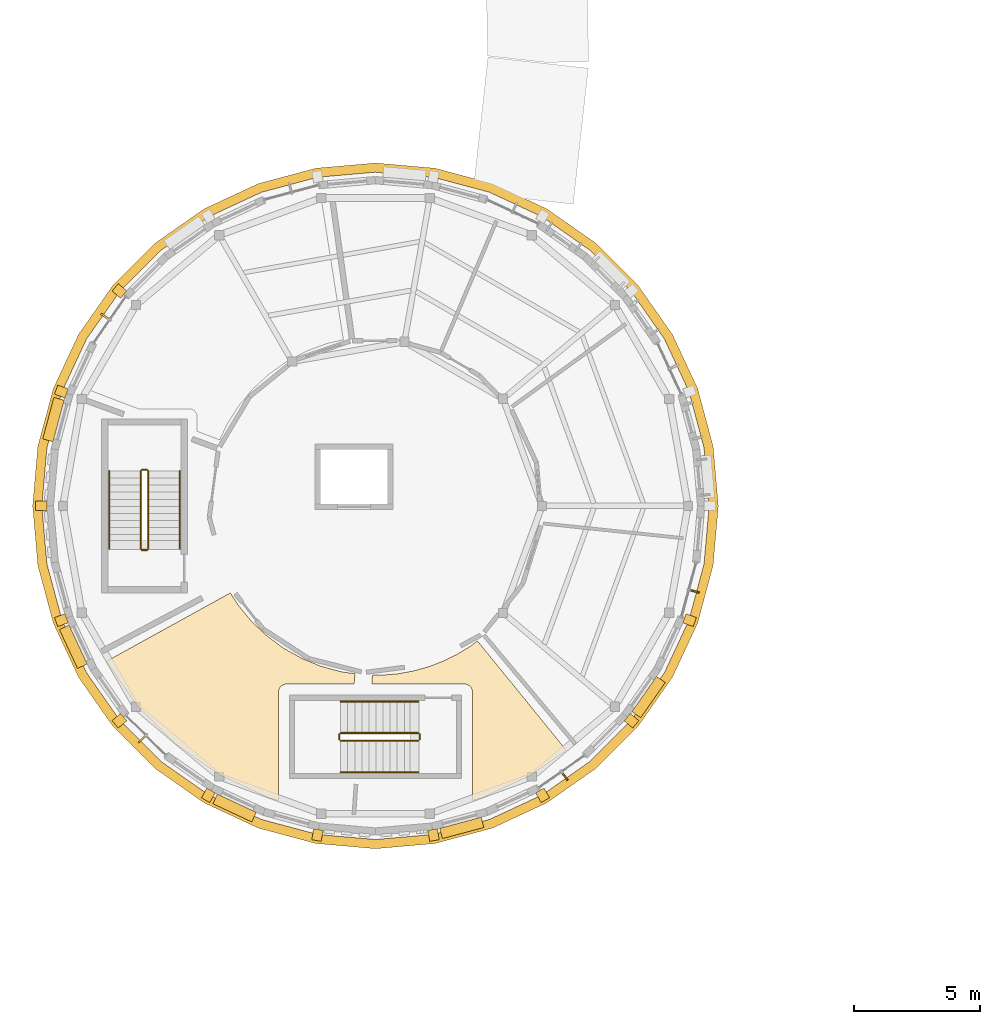
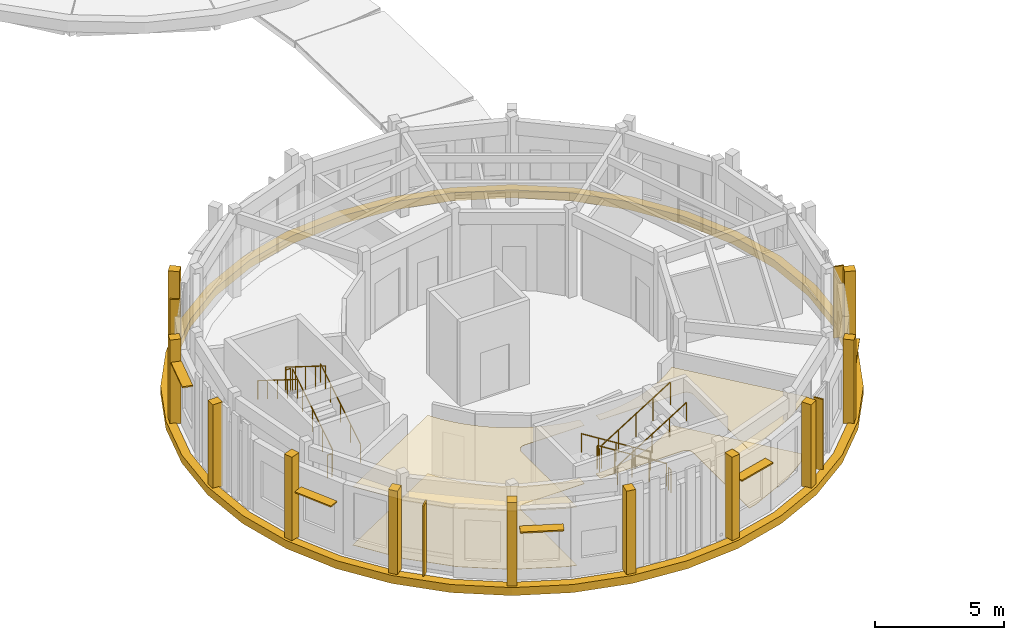
# One storey, part 50 of 58: 16 coverings, 12 railings, 9 shading devices.
"""IFC4 building model written with IfcOpenShell, lengths in metres."""

from ifc_helpers import new_model, si_unit, direction, frame, origin, origin_2d, place, context, subcontext, project, spatial, polyline, rectangle, circle, outline, extrude, material, layer, layer_set, type_object, element, save


model = new_model("IFC4")

# Units and contexts
model_context = context("Model", 3, precision=1e-05, world=origin(), true_north=direction((0.0, 1.0)))
body_context = subcontext(model_context, "Body", "Model", "MODEL_VIEW")
ifc_project = project(units=[si_unit("LENGTHUNIT", "METRE"), si_unit("AREAUNIT", "SQUARE_METRE"), si_unit("VOLUMEUNIT", "CUBIC_METRE"), si_unit("PLANEANGLEUNIT", "RADIAN"), si_unit("MASSUNIT", "GRAM", prefix="KILO")], contexts=[model_context])

# Site, building, storey
site_placement = place(None, origin())
site = spatial("IfcSite", under=ifc_project, at=site_placement, CompositionType="ELEMENT")
building_placement = place(site_placement, origin())
building = spatial("IfcBuilding", under=site, at=building_placement, Name="Aldenvaro Health Centre", CompositionType="ELEMENT")
storey_placement = place(building_placement, frame((0.0, 0.0, 8.75)))
storey = spatial("IfcBuildingStorey", under=building, at=storey_placement, Name="L02", CompositionType="ELEMENT", Elevation=8.75)

# Coverings
ifc_material_1 = material(Name="Antimicrobial Mineral Fibre Ceiling")
ifc_layer_1 = layer(ifc_material_1, 0.01806640625, Name="Antimicrobial Mineral Fibre Ceiling")
ifc_layer_set_1 = layer_set([ifc_layer_1], Name="Antimicrobial Mineral Fibre Ceiling")
covering_type_1 = type_object("IfcCoveringType", Name="COV-CLG-ACT18", PredefinedType="CEILING", material=ifc_layer_set_1)
covering_1_placement = place(storey_placement, frame((0.0, 0.0, 2.75)))
element("IfcCovering", 1, at=covering_1_placement, inside=storey, type_object=covering_type_1, Name="D5-L02-R03 Suspended Ceiling", PredefinedType="CEILING", context=body_context, shape_type="SweptSolid", body=[
    extrude(outline(polyline([(7.8330078125, 12.337890625), (12.75390625, 15.053955078125), (13.05810546875, 14.574951171875), (13.074951171875, 14.551025390625), (13.5791015625, 13.93896484375), (13.59912109375, 13.91796875), (14.174072265625, 13.3720703125), (14.196044921875, 13.35302734375), (14.8330078125, 12.881103515625), (14.85791015625, 12.864990234375), (15.548095703125, 12.47509765625), (15.574951171875, 12.4619140625), (16.306884765625, 12.158935546875), (16.3349609375, 12.14892578125), (17.09912109375, 11.93798828125), (17.1279296875, 11.931884765625), (17.68896484375, 11.84912109375), (17.654052734375, 11.43994140625), (14.97998046875, 11.43994140625), (14.968017578125, 11.43994140625), (14.9599609375, 11.43896484375), (14.93701171875, 11.43701171875), (14.928955078125, 11.43603515625), (14.906005859375, 11.430908203125), (14.89794921875, 11.428955078125), (14.8759765625, 11.423095703125), (14.868896484375, 11.419921875), (14.846923828125, 11.410888671875), (14.840087890625, 11.407958984375), (14.819091796875, 11.39599609375), (14.81201171875, 11.39208984375), (14.79296875, 11.37890625), (14.785888671875, 11.375), (14.76806640625, 11.360107421875), (14.761962890625, 11.35400390625), (14.74609375, 11.337890625), (14.739990234375, 11.33203125), (14.72509765625, 11.31396484375), (14.720947265625, 11.306884765625), (14.7080078125, 11.2880859375), (14.7041015625, 11.281005859375), (14.69189453125, 11.260009765625), (14.68896484375, 11.2529296875), (14.679931640625, 11.23095703125), (14.677001953125, 11.22412109375), (14.6708984375, 11.201904296875), (14.6689453125, 11.194091796875), (14.6640625, 11.1708984375), (14.6630859375, 11.1630859375), (14.660888671875, 11.139892578125), (14.659912109375, 11.132080078125), (14.659912109375, 11.1201171875), (14.659912109375, 6.823974609375), (14.287109375, 6.924072265625), (12.341064453125, 7.8310546875), (10.5810546875, 9.06298828125), (9.06298828125, 10.5810546875), (7.8330078125, 12.337890625)])), origin(), (0.0, 0.0, 1.0), 0.01806640625),
])
covering_2_placement = place(storey_placement, frame((0.0, 0.0, 2.75)))
element("IfcCovering", 2, at=covering_2_placement, inside=storey, type_object=covering_type_1, Name="D5-L02-R04 Suspended Ceiling", PredefinedType="CEILING", context=body_context, shape_type="SweptSolid", body=[
    extrude(outline(polyline([(18.743896484375, 11.794921875), (18.76611328125, 11.7958984375), (19.35888671875, 11.844970703125), (19.381103515625, 11.847900390625), (19.967041015625, 11.952880859375), (19.989013671875, 11.95703125), (20.56298828125, 12.114990234375), (20.583984375, 12.1220703125), (21.14111328125, 12.33203125), (21.160888671875, 12.341064453125), (21.697021484375, 12.60107421875), (21.716064453125, 12.611083984375), (22.22607421875, 12.919921875), (22.243896484375, 12.931884765625), (22.5390625, 13.14990234375), (26.06298828125, 8.81396484375), (24.658935546875, 7.8310546875), (22.712890625, 6.924072265625), (22.340087890625, 6.823974609375), (22.340087890625, 11.1201171875), (22.340087890625, 11.132080078125), (22.339111328125, 11.139892578125), (22.3369140625, 11.1630859375), (22.3359375, 11.1708984375), (22.3310546875, 11.194091796875), (22.3291015625, 11.201904296875), (22.322998046875, 11.22412109375), (22.320068359375, 11.23095703125), (22.31103515625, 11.2529296875), (22.30810546875, 11.260009765625), (22.2958984375, 11.281005859375), (22.2919921875, 11.2880859375), (22.279052734375, 11.306884765625), (22.27490234375, 11.31396484375), (22.260009765625, 11.33203125), (22.25390625, 11.337890625), (22.238037109375, 11.35400390625), (22.23193359375, 11.360107421875), (22.214111328125, 11.375), (22.20703125, 11.37890625), (22.18798828125, 11.39208984375), (22.180908203125, 11.39599609375), (22.159912109375, 11.407958984375), (22.153076171875, 11.410888671875), (22.131103515625, 11.419921875), (22.1240234375, 11.423095703125), (22.10205078125, 11.428955078125), (22.093994140625, 11.430908203125), (22.071044921875, 11.43603515625), (22.06298828125, 11.43701171875), (22.0400390625, 11.43896484375), (22.031982421875, 11.43994140625), (22.02001953125, 11.43994140625), (18.35791015625, 11.43994140625), (18.376953125, 11.798095703125), (18.743896484375, 11.794921875)])), origin(), (0.0, 0.0, 1.0), 0.01806640625),
])
ifc_material_2 = material(Name="Honed Sonoran Buff Limestone", Category="masonry")
ifc_layer_2 = layer(ifc_material_2, 0.280029296875, Name="Honed Sonoran Buff Limestone", Category="masonry")
ifc_layer_set_2 = layer_set([ifc_layer_2], Name="Honed Sonoran Buff Limestone")
covering_type_2 = type_object("IfcCoveringType", Name="COV-CRN-STN", PredefinedType="CLADDING", material=ifc_layer_set_2)
covering_3_placement = place(storey_placement, frame((0.0, 0.0, -0.340087890625)))
element("IfcCovering", 3, at=covering_3_placement, inside=storey, type_object=covering_type_2, Name="D5 L02 Classical Stone Entablature Cornice 1", PredefinedType="CLADDING", context=body_context, shape_type="SweptSolid", body=[
    extrude(outline(polyline([(32.080078125, 18.5), (31.8740234375, 20.85791015625), (31.260986328125, 23.14501953125), (30.260986328125, 25.2900390625), (28.903076171875, 27.22900390625), (27.22900390625, 28.903076171875), (25.2900390625, 30.260986328125), (23.14501953125, 31.260986328125), (20.85791015625, 31.8740234375), (18.5, 32.080078125), (16.14208984375, 31.8740234375), (13.85498046875, 31.260986328125), (11.7099609375, 30.260986328125), (9.77099609375, 28.903076171875), (8.096923828125, 27.22900390625), (6.739013671875, 25.2900390625), (5.739013671875, 23.14501953125), (5.1259765625, 20.85791015625), (4.919921875, 18.5), (5.1259765625, 16.14208984375), (5.739013671875, 13.85498046875), (6.739013671875, 11.7099609375), (8.096923828125, 9.77099609375), (9.77099609375, 8.096923828125), (11.7099609375, 6.739013671875), (13.85498046875, 5.739013671875), (16.14208984375, 5.1259765625), (18.5, 4.919921875), (20.85791015625, 5.1259765625), (23.14501953125, 5.739013671875), (25.2900390625, 6.739013671875), (27.22900390625, 8.096923828125), (28.903076171875, 9.77099609375), (30.260986328125, 11.7099609375), (31.260986328125, 13.85498046875), (31.8740234375, 16.14208984375), (32.080078125, 18.5)]), holes=[polyline([(31.715087890625, 18.5), (31.513916015625, 16.205078125), (30.91796875, 13.97998046875), (29.945068359375, 11.89208984375), (28.623046875, 10.006103515625), (26.993896484375, 8.376953125), (25.10791015625, 7.054931640625), (23.02001953125, 6.08203125), (20.794921875, 5.486083984375), (18.5, 5.284912109375), (16.205078125, 5.486083984375), (13.97998046875, 6.08203125), (11.89208984375, 7.054931640625), (10.006103515625, 8.376953125), (8.376953125, 10.006103515625), (7.054931640625, 11.89208984375), (6.08203125, 13.97998046875), (5.486083984375, 16.205078125), (5.284912109375, 18.5), (5.486083984375, 20.794921875), (6.08203125, 23.02001953125), (7.054931640625, 25.10693359375), (8.376953125, 26.993896484375), (10.006103515625, 28.623046875), (11.89306640625, 29.945068359375), (13.97998046875, 30.91796875), (16.205078125, 31.513916015625), (18.5, 31.715087890625), (20.794921875, 31.513916015625), (23.02001953125, 30.91796875), (25.10791015625, 29.945068359375), (26.993896484375, 28.623046875), (28.623046875, 26.993896484375), (29.945068359375, 25.10693359375), (30.91796875, 23.02001953125), (31.513916015625, 20.794921875), (31.715087890625, 18.5)])]), origin(), (0.0, 0.0, 1.0), 0.380126953125),
])
for number, where, z_axis, x_axis, name in (
    (4, (30.94189453125, 13.971923828125, 0.00048828125), (0.0, 0.0, 1.0), (0.939693796234, -0.34201691379, 0.0), "D5 L02 Engaged Classical Limestone Pilaster 02"),
    (5, (28.64208984375, 9.989013671875, 0.00048828125), (0.0, 0.0, 1.0), (0.76604377724, -0.642788403249, 0.0), "D5 L02 Engaged Classical Limestone Pilaster 03"),
    (6, (25.1201171875, 7.033935546875, 0.00048828125), (0.0, 0.0, 1.0), (0.499990860177, -0.8660306806, 0.0), "D5 L02 Engaged Classical Limestone Pilaster 04"),
    (7, (20.799072265625, 5.4609375, 0.00048828125), (0.0, 0.0, 1.0), (0.173643819888, -0.984808521396, 0.0), "D5 L02 Engaged Classical Limestone Pilaster 05"),
    (8, (16.200927734375, 5.4609375, 0.00048828125), (0.0, 0.0, 1.0), (-0.173643819888, -0.984808521396, 0.0), "D5 L02 Engaged Classical Limestone Pilaster 06"),
    (9, (11.8798828125, 7.033935546875, 0.00048828125), (0.0, 0.0, 1.0), (-0.499990860177, -0.8660306806, 0.0), "D5 L02 Engaged Classical Limestone Pilaster 07"),
    (10, (8.35791015625, 9.989013671875, 0.00048828125), (0.0, 0.0, 1.0), (-0.76604377724, -0.642788403249, 0.0), "D5 L02 Engaged Classical Limestone Pilaster 08"),
    (11, (6.05810546875, 13.971923828125, 0.00048828125), (0.0, 0.0, 1.0), (-0.939693796234, -0.34201691379, 0.0), "D5 L02 Engaged Classical Limestone Pilaster 09"),
    (12, (5.260009765625, 18.5, 0.00048828125), (0.0, 0.0, 1.0), (-1.0, 0.0, 0.0), "D5 L02 Engaged Classical Limestone Pilaster 10"),
    (13, (6.05810546875, 23.028076171875, 0.00048828125), (0.0, 0.0, 1.0), (-0.939693796234, 0.34201691379, 0.0), "D5 L02 Engaged Classical Limestone Pilaster 11"),
    (14, (8.35791015625, 27.010986328125, 0.00048828125), (0.0, 0.0, 1.0), (-0.76604377724, 0.642788403249, 0.0), "D5 L02 Engaged Classical Limestone Pilaster 12"),
):
    element("IfcCovering", number, at=place(storey_placement, frame(where, z_axis=z_axis, x_axis=x_axis)), inside=storey, type_object=covering_type_2, Name=name, PredefinedType="CLADDING", context=body_context, shape_type="SweptSolid", body=[
        extrude(rectangle(XDim=0.43994140625, YDim=0.3798828125, at=origin_2d()), origin(), (0.0, 0.0, 1.0), 3.97509765625),
    ])
ifc_material_3 = material(Name="Polished Epoxy Terrazzo Flooring")
ifc_layer_3 = layer(ifc_material_3, 0.02197265625, Name="Polished Epoxy Terrazzo Flooring")
ifc_layer_set_3 = layer_set([ifc_layer_3], Name="Polished Epoxy Terrazzo Flooring")
covering_type_3 = type_object("IfcCoveringType", Name="COV-FLR-TER22", PredefinedType="FLOORING", material=ifc_layer_set_3)
covering_4_placement = place(storey_placement, origin())
element("IfcCovering", 15, at=covering_4_placement, inside=storey, type_object=covering_type_3, Name="D5-L02-R04 Flooring", PredefinedType="FLOORING", context=body_context, shape_type="SweptSolid", body=[
    extrude(outline(polyline([(18.743896484375, 11.794921875), (18.76611328125, 11.7958984375), (19.35888671875, 11.844970703125), (19.381103515625, 11.847900390625), (19.967041015625, 11.952880859375), (19.989013671875, 11.95703125), (20.56298828125, 12.114990234375), (20.583984375, 12.1220703125), (21.14111328125, 12.33203125), (21.160888671875, 12.341064453125), (21.697021484375, 12.60107421875), (21.716064453125, 12.611083984375), (22.22607421875, 12.919921875), (22.243896484375, 12.931884765625), (22.5390625, 13.14990234375), (26.06298828125, 8.81396484375), (24.658935546875, 7.8310546875), (22.712890625, 6.924072265625), (22.340087890625, 6.823974609375), (22.340087890625, 11.1201171875), (22.340087890625, 11.132080078125), (22.339111328125, 11.139892578125), (22.3369140625, 11.1630859375), (22.3359375, 11.1708984375), (22.3310546875, 11.194091796875), (22.3291015625, 11.201904296875), (22.322998046875, 11.22412109375), (22.320068359375, 11.23095703125), (22.31103515625, 11.2529296875), (22.30810546875, 11.260009765625), (22.2958984375, 11.281005859375), (22.2919921875, 11.2880859375), (22.279052734375, 11.306884765625), (22.27490234375, 11.31396484375), (22.260009765625, 11.33203125), (22.25390625, 11.337890625), (22.238037109375, 11.35400390625), (22.23193359375, 11.360107421875), (22.214111328125, 11.375), (22.20703125, 11.37890625), (22.18798828125, 11.39208984375), (22.180908203125, 11.39599609375), (22.159912109375, 11.407958984375), (22.153076171875, 11.410888671875), (22.131103515625, 11.419921875), (22.1240234375, 11.423095703125), (22.10205078125, 11.428955078125), (22.093994140625, 11.430908203125), (22.071044921875, 11.43603515625), (22.06298828125, 11.43701171875), (22.0400390625, 11.43896484375), (22.031982421875, 11.43994140625), (22.02001953125, 11.43994140625), (18.35791015625, 11.43994140625), (18.376953125, 11.798095703125), (18.743896484375, 11.794921875)])), origin(), (0.0, 0.0, 1.0), 0.02197265625),
])
ifc_material_4 = material(Name="Seamless Homogeneous Sheet Vinyl")
ifc_layer_4 = layer(ifc_material_4, 0.013916015625, Name="Seamless Homogeneous Sheet Vinyl")
ifc_layer_set_4 = layer_set([ifc_layer_4], Name="Seamless Homogeneous Sheet Vinyl")
covering_type_4 = type_object("IfcCoveringType", Name="COV-FLR-VNL14", PredefinedType="FLOORING", material=ifc_layer_set_4)
covering_5_placement = place(storey_placement, origin())
element("IfcCovering", 16, at=covering_5_placement, inside=storey, type_object=covering_type_4, Name="D5-L02-R03 Flooring", PredefinedType="FLOORING", context=body_context, shape_type="SweptSolid", body=[
    extrude(outline(polyline([(7.8330078125, 12.337890625), (12.75390625, 15.053955078125), (13.05810546875, 14.574951171875), (13.074951171875, 14.551025390625), (13.5791015625, 13.93896484375), (13.59912109375, 13.91796875), (14.174072265625, 13.3720703125), (14.196044921875, 13.35302734375), (14.8330078125, 12.881103515625), (14.85791015625, 12.864990234375), (15.548095703125, 12.47509765625), (15.574951171875, 12.4619140625), (16.306884765625, 12.158935546875), (16.3349609375, 12.14892578125), (17.09912109375, 11.93798828125), (17.1279296875, 11.931884765625), (17.68896484375, 11.84912109375), (17.654052734375, 11.43994140625), (14.97998046875, 11.43994140625), (14.968017578125, 11.43994140625), (14.9599609375, 11.43896484375), (14.93701171875, 11.43701171875), (14.928955078125, 11.43603515625), (14.906005859375, 11.430908203125), (14.89794921875, 11.428955078125), (14.8759765625, 11.423095703125), (14.868896484375, 11.419921875), (14.846923828125, 11.410888671875), (14.840087890625, 11.407958984375), (14.819091796875, 11.39599609375), (14.81201171875, 11.39208984375), (14.79296875, 11.37890625), (14.785888671875, 11.375), (14.76806640625, 11.360107421875), (14.761962890625, 11.35400390625), (14.74609375, 11.337890625), (14.739990234375, 11.33203125), (14.72509765625, 11.31396484375), (14.720947265625, 11.306884765625), (14.7080078125, 11.2880859375), (14.7041015625, 11.281005859375), (14.69189453125, 11.260009765625), (14.68896484375, 11.2529296875), (14.679931640625, 11.23095703125), (14.677001953125, 11.22412109375), (14.6708984375, 11.201904296875), (14.6689453125, 11.194091796875), (14.6640625, 11.1708984375), (14.6630859375, 11.1630859375), (14.660888671875, 11.139892578125), (14.659912109375, 11.132080078125), (14.659912109375, 11.1201171875), (14.659912109375, 6.823974609375), (14.287109375, 6.924072265625), (12.341064453125, 7.8310546875), (10.5810546875, 9.06298828125), (9.06298828125, 10.5810546875), (7.8330078125, 12.337890625)])), origin(), (0.0, 0.0, 1.0), 0.013916015625),
])

# Railings
ifc_material_5 = material(Name="Painted Architectural Steel", Category="steel")
railing_type_1 = type_object("IfcRailingType", Name="RL-BAL-INT", PredefinedType="BALUSTRADE", material=ifc_material_5)
railing_1_placement = place(storey_placement, frame((9.5, 16.800048828125, 0.175048828125)))
element("IfcRailing", 17, at=railing_1_placement, inside=storey, type_object=railing_type_1, Name="L02 ST-09 stair guard 1", PredefinedType="BALUSTRADE", context=body_context, shape_type="SweptSolid", body=[
    extrude(circle(Radius=0.02392578125, at=origin_2d()), frame((0.0, 0.0, 1.076171875), z_axis=(0.0, 0.847979421464, 0.530029150871), x_axis=(-1.0, 0.0, 0.0)), (0.0, 0.0, 1.0), 3.632080078125),
    extrude(circle(Radius=0.02099609375, at=origin_2d()), origin(), (0.0, 0.0, 1.0), 1.052001953125),
    extrude(circle(Radius=0.02099609375, at=origin_2d()), frame((0.0, 0.77001953125, 0.481201171875)), (0.0, 0.0, 1.0), 1.052001953125),
    extrude(circle(Radius=0.02099609375, at=origin_2d()), frame((0.0, 1.5400390625, 0.96240234375)), (0.0, 0.0, 1.0), 1.052001953125),
    extrude(circle(Radius=0.02099609375, at=origin_2d()), frame((0.0, 2.309814453125, 1.44384765625)), (0.0, 0.0, 1.0), 1.052001953125),
    extrude(circle(Radius=0.02099609375, at=origin_2d()), frame((0.0, 3.079833984375, 1.925048828125)), (0.0, 0.0, 1.0), 1.052001953125),
])
railing_2_placement = place(storey_placement, frame((9.449951171875, 19.929931640625, 2.10009765625)))
element("IfcRailing", 18, at=railing_2_placement, inside=storey, type_object=railing_type_1, Name="L02 ST-09 stair guard 2", PredefinedType="BALUSTRADE", context=body_context, shape_type="SweptSolid", body=[
    extrude(circle(Radius=0.02392578125, at=origin_2d()), frame((0.0, 0.0, 1.076171875), z_axis=(-1.0, 0.0, 0.0), x_axis=(0.0, -1.0, 0.0)), (0.0, 0.0, 1.0), 0.199951171875),
    extrude(circle(Radius=0.02099609375, at=origin_2d()), origin(), (0.0, 0.0, 1.0), 1.052001953125),
    extrude(circle(Radius=0.02099609375, at=origin_2d()), frame((-0.199951171875, 0.0, 0.0)), (0.0, 0.0, 1.0), 1.052001953125),
])
railing_3_placement = place(storey_placement, frame((9.199951171875, 19.8798828125, 2.27490234375)))
element("IfcRailing", 19, at=railing_3_placement, inside=storey, type_object=railing_type_1, Name="L02 ST-09 stair guard 3", PredefinedType="BALUSTRADE", context=body_context, shape_type="SweptSolid", body=[
    extrude(circle(Radius=0.02392578125, at=origin_2d()), frame((0.0, 0.0, 1.076171875), z_axis=(0.0, -0.847979421464, 0.530029150871), x_axis=(1.0, 0.0, 0.0)), (0.0, 0.0, 1.0), 3.632080078125),
    extrude(circle(Radius=0.02099609375, at=origin_2d()), origin(), (0.0, 0.0, 1.0), 1.052001953125),
    extrude(circle(Radius=0.02099609375, at=origin_2d()), frame((0.0, -0.77001953125, 0.481201171875)), (0.0, 0.0, 1.0), 1.052001953125),
    extrude(circle(Radius=0.02099609375, at=origin_2d()), frame((0.0, -1.5400390625, 0.96240234375)), (0.0, 0.0, 1.0), 1.052001953125),
    extrude(circle(Radius=0.02099609375, at=origin_2d()), frame((0.0, -2.309814453125, 1.44384765625)), (0.0, 0.0, 1.0), 1.052001953125),
    extrude(circle(Radius=0.02099609375, at=origin_2d()), frame((0.0, -3.079833984375, 1.925048828125)), (0.0, 0.0, 1.0), 1.052001953125),
])
railing_4_placement = place(storey_placement, frame((9.449951171875, 16.75, 0.0)))
element("IfcRailing", 20, at=railing_4_placement, inside=storey, type_object=railing_type_1, Name="L02 ST-09 stair guard 4", PredefinedType="BALUSTRADE", context=body_context, shape_type="SweptSolid", body=[
    extrude(circle(Radius=0.02392578125, at=origin_2d()), frame((0.0, 0.0, 1.076171875), z_axis=(-1.0, 0.0, 0.0), x_axis=(0.0, -1.0, 0.0)), (0.0, 0.0, 1.0), 0.199951171875),
    extrude(circle(Radius=0.02099609375, at=origin_2d()), origin(), (0.0, 0.0, 1.0), 1.052001953125),
    extrude(circle(Radius=0.02099609375, at=origin_2d()), frame((-0.199951171875, 0.0, 0.0)), (0.0, 0.0, 1.0), 1.052001953125),
])
railing_5_placement = place(storey_placement, frame((20.199951171875, 9.5, 0.175048828125)))
element("IfcRailing", 21, at=railing_5_placement, inside=storey, type_object=railing_type_1, Name="L02 ST-10 stair guard 1", PredefinedType="BALUSTRADE", context=body_context, shape_type="SweptSolid", body=[
    extrude(circle(Radius=0.02392578125, at=origin_2d()), frame((0.0, 0.0, 1.076171875), z_axis=(-0.847979421464, 0.0, 0.530029150871), x_axis=(0.0, -1.0, 0.0)), (0.0, 0.0, 1.0), 3.632080078125),
    extrude(circle(Radius=0.02099609375, at=origin_2d()), origin(), (0.0, 0.0, 1.0), 1.052001953125),
    extrude(circle(Radius=0.02099609375, at=origin_2d()), frame((-0.77001953125, 0.0, 0.481201171875)), (0.0, 0.0, 1.0), 1.052001953125),
    extrude(circle(Radius=0.02099609375, at=origin_2d()), frame((-1.5400390625, 0.0, 0.96240234375)), (0.0, 0.0, 1.0), 1.052001953125),
    extrude(circle(Radius=0.02099609375, at=origin_2d()), frame((-2.309814453125, 0.0, 1.44384765625)), (0.0, 0.0, 1.0), 1.052001953125),
    extrude(circle(Radius=0.02099609375, at=origin_2d()), frame((-3.079833984375, 0.0, 1.925048828125)), (0.0, 0.0, 1.0), 1.052001953125),
])
railing_6_placement = place(storey_placement, frame((17.070068359375, 9.449951171875, 2.10009765625)))
element("IfcRailing", 22, at=railing_6_placement, inside=storey, type_object=railing_type_1, Name="L02 ST-10 stair guard 2", PredefinedType="BALUSTRADE", context=body_context, shape_type="SweptSolid", body=[
    extrude(circle(Radius=0.02392578125, at=origin_2d()), frame((0.0, 0.0, 1.076171875), z_axis=(0.0, -1.0, 0.0), x_axis=(1.0, 0.0, 0.0)), (0.0, 0.0, 1.0), 0.199951171875),
    extrude(circle(Radius=0.02099609375, at=origin_2d()), origin(), (0.0, 0.0, 1.0), 1.052001953125),
    extrude(circle(Radius=0.02099609375, at=origin_2d()), frame((0.0, -0.199951171875, 0.0)), (0.0, 0.0, 1.0), 1.052001953125),
])
railing_7_placement = place(storey_placement, frame((17.1201171875, 9.199951171875, 2.27490234375)))
element("IfcRailing", 23, at=railing_7_placement, inside=storey, type_object=railing_type_1, Name="L02 ST-10 stair guard 3", PredefinedType="BALUSTRADE", context=body_context, shape_type="SweptSolid", body=[
    extrude(circle(Radius=0.02392578125, at=origin_2d()), frame((0.0, 0.0, 1.076171875), z_axis=(0.847979421464, 0.0, 0.530029150871), x_axis=(0.0, 1.0, 0.0)), (0.0, 0.0, 1.0), 3.632080078125),
    extrude(circle(Radius=0.02099609375, at=origin_2d()), origin(), (0.0, 0.0, 1.0), 1.052001953125),
    extrude(circle(Radius=0.02099609375, at=origin_2d()), frame((0.77001953125, 0.0, 0.481201171875)), (0.0, 0.0, 1.0), 1.052001953125),
    extrude(circle(Radius=0.02099609375, at=origin_2d()), frame((1.5400390625, 0.0, 0.96240234375)), (0.0, 0.0, 1.0), 1.052001953125),
    extrude(circle(Radius=0.02099609375, at=origin_2d()), frame((2.309814453125, 0.0, 1.44384765625)), (0.0, 0.0, 1.0), 1.052001953125),
    extrude(circle(Radius=0.02099609375, at=origin_2d()), frame((3.079833984375, 0.0, 1.925048828125)), (0.0, 0.0, 1.0), 1.052001953125),
])
railing_8_placement = place(storey_placement, frame((20.25, 9.449951171875, 0.0)))
element("IfcRailing", 24, at=railing_8_placement, inside=storey, type_object=railing_type_1, Name="L02 ST-10 stair guard 4", PredefinedType="BALUSTRADE", context=body_context, shape_type="SweptSolid", body=[
    extrude(circle(Radius=0.02392578125, at=origin_2d()), frame((0.0, 0.0, 1.076171875), z_axis=(0.0, -1.0, 0.0), x_axis=(1.0, 0.0, 0.0)), (0.0, 0.0, 1.0), 0.199951171875),
    extrude(circle(Radius=0.02099609375, at=origin_2d()), origin(), (0.0, 0.0, 1.0), 1.052001953125),
    extrude(circle(Radius=0.02099609375, at=origin_2d()), frame((0.0, -0.199951171875, 0.0)), (0.0, 0.0, 1.0), 1.052001953125),
])
railing_type_2 = type_object("IfcRailingType", Name="RL-HND-INT", PredefinedType="HANDRAIL", material=ifc_material_5)
railing_9_placement = place(storey_placement, frame((10.75, 16.800048828125, 0.175048828125)))
element("IfcRailing", 25, at=railing_9_placement, inside=storey, type_object=railing_type_2, Name="L02 ST-09 stair handrail 1", PredefinedType="HANDRAIL", context=body_context, shape_type="SweptSolid", body=[
    extrude(circle(Radius=0.02392578125, at=origin_2d()), frame((0.0, 0.0, 0.8759765625), z_axis=(0.0, 0.847979421464, 0.530029150871), x_axis=(-1.0, 0.0, 0.0)), (0.0, 0.0, 1.0), 3.632080078125),
    extrude(circle(Radius=0.02099609375, at=origin_2d()), origin(), (0.0, 0.0, 1.0), 0.851806640625),
    extrude(circle(Radius=0.02099609375, at=origin_2d()), frame((0.0, 0.77001953125, 0.481201171875)), (0.0, 0.0, 1.0), 0.851806640625),
    extrude(circle(Radius=0.02099609375, at=origin_2d()), frame((0.0, 1.5400390625, 0.96240234375)), (0.0, 0.0, 1.0), 0.851806640625),
    extrude(circle(Radius=0.02099609375, at=origin_2d()), frame((0.0, 2.309814453125, 1.44384765625)), (0.0, 0.0, 1.0), 0.851806640625),
    extrude(circle(Radius=0.02099609375, at=origin_2d()), frame((0.0, 3.079833984375, 1.925048828125)), (0.0, 0.0, 1.0), 0.851806640625),
])
railing_10_placement = place(storey_placement, frame((7.949951171875, 19.8798828125, 2.27490234375)))
element("IfcRailing", 26, at=railing_10_placement, inside=storey, type_object=railing_type_2, Name="L02 ST-09 stair handrail 2", PredefinedType="HANDRAIL", context=body_context, shape_type="SweptSolid", body=[
    extrude(circle(Radius=0.02392578125, at=origin_2d()), frame((0.0, 0.0, 0.8759765625), z_axis=(0.0, -0.847979421464, 0.530029150871), x_axis=(1.0, 0.0, 0.0)), (0.0, 0.0, 1.0), 3.632080078125),
    extrude(circle(Radius=0.02099609375, at=origin_2d()), origin(), (0.0, 0.0, 1.0), 0.851806640625),
    extrude(circle(Radius=0.02099609375, at=origin_2d()), frame((0.0, -0.77001953125, 0.481201171875)), (0.0, 0.0, 1.0), 0.851806640625),
    extrude(circle(Radius=0.02099609375, at=origin_2d()), frame((0.0, -1.5400390625, 0.96240234375)), (0.0, 0.0, 1.0), 0.851806640625),
    extrude(circle(Radius=0.02099609375, at=origin_2d()), frame((0.0, -2.309814453125, 1.44384765625)), (0.0, 0.0, 1.0), 0.851806640625),
    extrude(circle(Radius=0.02099609375, at=origin_2d()), frame((0.0, -3.079833984375, 1.925048828125)), (0.0, 0.0, 1.0), 0.851806640625),
])
railing_11_placement = place(storey_placement, frame((20.199951171875, 10.75, 0.175048828125)))
element("IfcRailing", 27, at=railing_11_placement, inside=storey, type_object=railing_type_2, Name="L02 ST-10 stair handrail 1", PredefinedType="HANDRAIL", context=body_context, shape_type="SweptSolid", body=[
    extrude(circle(Radius=0.02392578125, at=origin_2d()), frame((0.0, 0.0, 0.8759765625), z_axis=(-0.847979421464, 0.0, 0.530029150871), x_axis=(0.0, -1.0, 0.0)), (0.0, 0.0, 1.0), 3.632080078125),
    extrude(circle(Radius=0.02099609375, at=origin_2d()), origin(), (0.0, 0.0, 1.0), 0.851806640625),
    extrude(circle(Radius=0.02099609375, at=origin_2d()), frame((-0.77001953125, 0.0, 0.481201171875)), (0.0, 0.0, 1.0), 0.851806640625),
    extrude(circle(Radius=0.02099609375, at=origin_2d()), frame((-1.5400390625, 0.0, 0.96240234375)), (0.0, 0.0, 1.0), 0.851806640625),
    extrude(circle(Radius=0.02099609375, at=origin_2d()), frame((-2.309814453125, 0.0, 1.44384765625)), (0.0, 0.0, 1.0), 0.851806640625),
    extrude(circle(Radius=0.02099609375, at=origin_2d()), frame((-3.079833984375, 0.0, 1.925048828125)), (0.0, 0.0, 1.0), 0.851806640625),
])
railing_12_placement = place(storey_placement, frame((17.1201171875, 7.949951171875, 2.27490234375)))
element("IfcRailing", 28, at=railing_12_placement, inside=storey, type_object=railing_type_2, Name="L02 ST-10 stair handrail 2", PredefinedType="HANDRAIL", context=body_context, shape_type="SweptSolid", body=[
    extrude(circle(Radius=0.02392578125, at=origin_2d()), frame((0.0, 0.0, 0.8759765625), z_axis=(0.847979421464, 0.0, 0.530029150871), x_axis=(0.0, 1.0, 0.0)), (0.0, 0.0, 1.0), 3.632080078125),
    extrude(circle(Radius=0.02099609375, at=origin_2d()), origin(), (0.0, 0.0, 1.0), 0.851806640625),
    extrude(circle(Radius=0.02099609375, at=origin_2d()), frame((0.77001953125, 0.0, 0.481201171875)), (0.0, 0.0, 1.0), 0.851806640625),
    extrude(circle(Radius=0.02099609375, at=origin_2d()), frame((1.5400390625, 0.0, 0.96240234375)), (0.0, 0.0, 1.0), 0.851806640625),
    extrude(circle(Radius=0.02099609375, at=origin_2d()), frame((2.309814453125, 0.0, 1.44384765625)), (0.0, 0.0, 1.0), 0.851806640625),
    extrude(circle(Radius=0.02099609375, at=origin_2d()), frame((3.079833984375, 0.0, 1.925048828125)), (0.0, 0.0, 1.0), 0.851806640625),
])

# Shading devices
ifc_material_6 = material(Name="Douglas Fir Exterior Glulam GL28h", Category="wood")
shading_device_type_1 = type_object("IfcShadingDeviceType", Name="SHD-FIN-380", PredefinedType="USERDEFINED", material=ifc_material_6)
shading_device_1_placement = place(storey_placement, frame((7.801025390625, 25.990966796875, -0.01953125), z_axis=(0.0, 0.0, 1.0), x_axis=(0.573641397746, 0.819106553991, 0.0)))
element("IfcShadingDevice", 29, at=shading_device_1_placement, inside=storey, type_object=shading_device_type_1, Name="D5 L02 vertical timber fin 22.0", ObjectType="FIN", PredefinedType="USERDEFINED", context=body_context, shape_type="SweptSolid", body=[
    extrude(rectangle(XDim=0.074951171875, YDim=0.419921875, at=origin_2d()), origin(), (0.0, 0.0, 1.0), 3.368896484375),
])
shading_device_type_2 = type_object("IfcShadingDeviceType", Name="SHD-FIN-420", PredefinedType="USERDEFINED", material=ifc_material_6)
for number, where, z_axis, x_axis, name in (
    (30, (31.115966796875, 15.1201171875, -0.01953125), (0.0, 0.0, 1.0), (-0.258825000966, -0.9659242304, 0.0), "D5 L02 vertical timber fin 2.0"),
    (31, (9.264892578125, 9.264892578125, -0.01953125), (0.0, 0.0, 1.0), (-0.707106781187, 0.707106781187, 0.0), "D5 L02 vertical timber fin 14.0"),
):
    element("IfcShadingDevice", number, at=place(storey_placement, frame(where, z_axis=z_axis, x_axis=x_axis)), inside=storey, type_object=shading_device_type_2, Name=name, ObjectType="FIN", PredefinedType="USERDEFINED", context=body_context, shape_type="SweptSolid", body=[
        extrude(rectangle(XDim=0.06494140625, YDim=0.419921875, at=origin_2d()), origin(), (0.0, 0.0, 1.0), 3.368896484375),
    ])
shading_device_type_3 = type_object("IfcShadingDeviceType", Name="SHD-FIN-455", PredefinedType="USERDEFINED", material=ifc_material_6)
shading_device_2_placement = place(storey_placement, frame((25.990966796875, 7.801025390625, -0.01953125), z_axis=(0.0, 0.0, 1.0), x_axis=(-0.819106553991, -0.573641397746, 0.0)))
element("IfcShadingDevice", 32, at=shading_device_2_placement, inside=storey, type_object=shading_device_type_3, Name="D5 L02 vertical timber fin 6.0", ObjectType="FIN", PredefinedType="USERDEFINED", context=body_context, shape_type="SweptSolid", body=[
    extrude(rectangle(XDim=0.06494140625, YDim=0.419921875, at=origin_2d()), origin(), (0.0, 0.0, 1.0), 3.368896484375),
])
shading_device_type_4 = type_object("IfcShadingDeviceType", Name="SHD-LVR-170", PredefinedType="JALOUSIE", material=ifc_material_6)
for number, where, z_axis, x_axis, name in (
    (33, (29.318115234375, 10.926025390625, 2.449951171875), (0.0, 0.0, 1.0), (-0.573641397746, -0.819106553991, 0.0), "D5 L02 horizontal solar louvre 04"),
    (34, (21.91796875, 5.743896484375, 2.599853515625), (0.0, 0.0, 1.0), (-0.9659242304, -0.258825000966, 0.0), "D5 L02 horizontal solar louvre 08"),
    (35, (12.9189453125, 6.531005859375, 2.5), (0.0, 0.0, 1.0), (-0.906364844733, 0.422495879545, 0.0), "D5 L02 horizontal solar louvre 12"),
    (36, (6.531005859375, 12.9189453125, 2.349853515625), (0.0, 0.0, 1.0), (-0.422495879545, 0.906364844733, 0.0), "D5 L02 horizontal solar louvre 16"),
    (37, (5.743896484375, 21.91796875, 2.949951171875), (0.0, 0.0, 1.0), (0.258825000966, 0.9659242304, 0.0), "D5 L02 horizontal solar louvre 20"),
):
    element("IfcShadingDevice", number, at=place(storey_placement, frame(where, z_axis=z_axis, x_axis=x_axis)), inside=storey, type_object=shading_device_type_4, Name=name, PredefinedType="JALOUSIE", context=body_context, shape_type="SweptSolid", body=[
        extrude(rectangle(XDim=1.699951171875, YDim=0.419921875, at=origin_2d()), origin(), (0.0, 0.0, 1.0), 0.06005859375),
    ])

save(model, "model.ifc")
